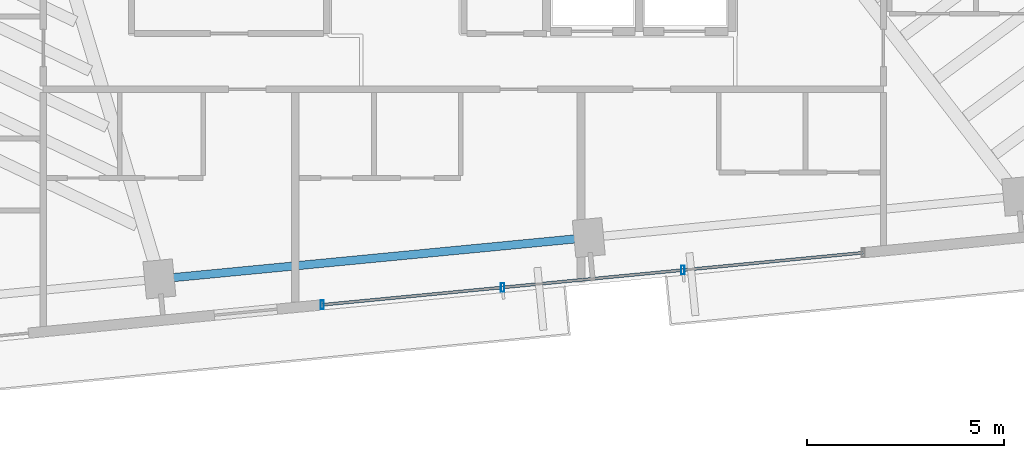
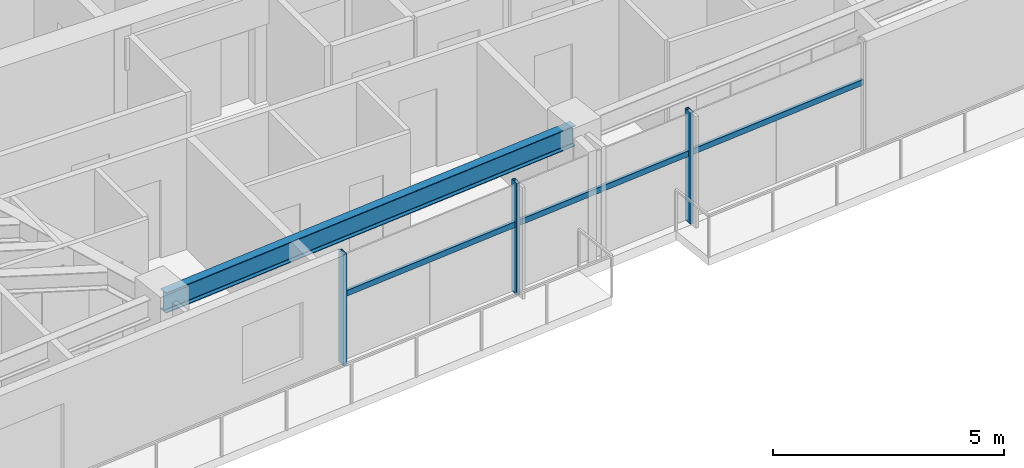
# One storey, part 4 of 18: 6 members, 1 beam, 1 element without a shape of its own.
"""IFC4 building model written with IfcOpenShell, lengths in metres."""

from ifc_helpers import new_model, si_unit, direction, frame, origin, origin_2d, place, context, subcontext, project, spatial, hollow_rectangle, i_section, extrude, source, transform, mapped, material, material_profile, profile_set, type_object, type_shapes, element, aggregate, save


model = new_model("IFC4")

# Units and contexts
model_context = context("Model", 3, precision=1e-05, world=origin(), true_north=direction((0.0, 1.0)))
body_context = subcontext(model_context, "Body", "Model", "MODEL_VIEW")
ifc_project = project(units=[si_unit("LENGTHUNIT", "METRE"), si_unit("AREAUNIT", "SQUARE_METRE"), si_unit("VOLUMEUNIT", "CUBIC_METRE"), si_unit("PLANEANGLEUNIT", "RADIAN"), si_unit("MASSUNIT", "GRAM", prefix="KILO")], contexts=[model_context])

# Site, building, storey
site_placement = place(None, origin())
site = spatial("IfcSite", under=ifc_project, at=site_placement, CompositionType="ELEMENT")
building_placement = place(site_placement, origin())
building = spatial("IfcBuilding", under=site, at=building_placement, Name="Astriad Promenade Condominiums", CompositionType="ELEMENT")
storey_placement = place(building_placement, frame((0.0, 0.0, 189.0)))
storey = spatial("IfcBuildingStorey", under=building, at=storey_placement, Name="L54", CompositionType="ELEMENT", Elevation=189.0)

# Beam
ifc_material_1 = material(Name="Steel ASTM A992 Grade 50", Category="steel")
ifc_material_profile_1 = material_profile(ifc_material_1, i_section(OverallWidth=0.210693359375, OverallDepth=0.53955078125, WebThickness=0.01171875, FlangeThickness=0.018798828125, FilletRadius=0.0166015625, at=origin_2d()), Name="W21X73")
ifc_profile_set_1 = profile_set([ifc_material_profile_1], Name="Steel ASTM A992 Grade 50")
beam_type = type_object("IfcBeamType", Name="STEEL SPANDREL BEAM W21X73", PredefinedType="SPANDREL", material=ifc_profile_set_1)
shared_shape_1 = source(origin(), body_context, "Body", "SweptSolid", [
    extrude(i_section(OverallWidth=0.210693359375, OverallDepth=0.53955078125, WebThickness=0.01171875, FlangeThickness=0.018798828125, FilletRadius=0.0166015625, at=origin_2d()), origin(), (0.0, 0.0, 1.0), 10.8701171875),
])
type_shapes(beam_type, [shared_shape_1])
beam_placement = place(storey_placement, frame((29.10888671875, 8.47119140625, 2.67041015625), z_axis=(0.995394986184, 0.09585834069, 0.0), x_axis=(-0.09585834069, 0.995394986184, 0.0)))
element("IfcBeam", 1, at=beam_placement, inside=storey, type_object=beam_type, Name="Perimeter Spandrel Beam SP-S2-L54", PredefinedType="SPANDREL", context=body_context, shape_type="MappedRepresentation", body=[
    mapped(shared_shape_1, transform((0.0, 0.0, 0.0), scale=1.0)),
])

# Curtain wall, members
ifc_material_2 = material(Name="Anodised aluminium Black Dark Glass Unitised", Category="aluminium")
curtain_wall_type = type_object("IfcCurtainWallType", Name="CW-B34-DARK", PredefinedType="USERDEFINED", material=ifc_material_2)
curtain_wall_placement = place(storey_placement, origin())
curtain_wall = element("IfcCurtainWall", 2, at=curtain_wall_placement, inside=storey, type_object=curtain_wall_type, Name="CW-L54-S", ObjectType="UNITISED_CURTAIN_WALL", PredefinedType="USERDEFINED")
ifc_material_3 = material(Name="Anodised aluminium 6063-T6 Black", Category="aluminium")
ifc_material_profile_2 = material_profile(ifc_material_3, hollow_rectangle(XDim=0.0849609375, YDim=0.219970703125, WallThickness=0.0048828125, at=origin_2d()), Name="ALU-MUL-85X220")
ifc_profile_set_2 = profile_set([ifc_material_profile_2], Name="Anodised aluminium 6063-T6 Black")
member_type_1 = type_object("IfcMemberType", Name="MUL-ALU-MUL-85X220", PredefinedType="MULLION", material=ifc_profile_set_2)
shared_shape_2 = source(origin(), body_context, "Body", "SweptSolid", [
    extrude(hollow_rectangle(XDim=0.0849609375, YDim=0.219970703125, WallThickness=0.0048828125, at=origin_2d()), origin(), (0.0, 0.0, 1.0), 2.93994140625),
])
type_shapes(member_type_1, [shared_shape_2])
member_1_placement = place(storey_placement, frame((42.358642578125, 8.692138671875, 0.0), z_axis=(0.0, 0.0, 1.0), x_axis=(1.0, 0.0, 0.0)))
member_1 = element("IfcMember", 3, at=member_1_placement, type_object=member_type_1, Name="CW-L54-S-MUL-01", PredefinedType="MULLION", context=body_context, shape_type="MappedRepresentation", body=[
    mapped(shared_shape_2, transform((0.0, 0.0, 0.0), scale=1.0)),
])
member_2_placement = place(storey_placement, frame((37.77978515625, 8.251220703125, 0.0), z_axis=(0.0, 0.0, 1.0), x_axis=(1.0, 0.0, 0.0)))
member_2 = element("IfcMember", 4, at=member_2_placement, type_object=member_type_1, Name="CW-L54-S-MUL-02", PredefinedType="MULLION", context=body_context, shape_type="MappedRepresentation", body=[
    mapped(shared_shape_2, transform((0.0, 0.0, 0.0), scale=1.0)),
])
member_3_placement = place(storey_placement, frame((33.201171875, 7.810302734375, 0.0), z_axis=(0.0, 0.0, 1.0), x_axis=(1.0, 0.0, 0.0)))
member_3 = element("IfcMember", 5, at=member_3_placement, type_object=member_type_1, Name="CW-L54-S-MUL-03", PredefinedType="MULLION", context=body_context, shape_type="MappedRepresentation", body=[
    mapped(shared_shape_2, transform((0.0, 0.0, 0.0), scale=1.0)),
])
ifc_material_profile_3 = material_profile(ifc_material_3, hollow_rectangle(XDim=0.074951171875, YDim=0.14990234375, WallThickness=0.004150390625, at=origin_2d()), Name="ALU-TRN-75X150")
ifc_profile_set_3 = profile_set([ifc_material_profile_3], Name="Anodised aluminium 6063-T6 Black")
member_type_2 = type_object("IfcMemberType", Name="TRN-ALU-TRN-75X150", PredefinedType="USERDEFINED", material=ifc_profile_set_3)
shared_shape_3 = source(origin(), body_context, "Body", "SweptSolid", [
    extrude(hollow_rectangle(XDim=0.074951171875, YDim=0.14990234375, WallThickness=0.004150390625, at=origin_2d()), origin(), (0.0, 0.0, 1.0), 4.60009765625),
])
member_4_placement = place(storey_placement, frame((46.9375, 9.133056640625, 1.82275390625), z_axis=(-0.995395697572, -0.095850953336, 0.0), x_axis=(0.095850953336, -0.995395697572, 0.0)))
member_4 = element("IfcMember", 6, at=member_4_placement, type_object=member_type_2, Name="CW-L54-S-TRN-00-0", ObjectType="TRANSOM", PredefinedType="USERDEFINED", context=body_context, shape_type="MappedRepresentation", body=[
    mapped(shared_shape_3, transform((0.0, 0.0, 0.0), scale=1.0)),
])
member_5_placement = place(storey_placement, frame((42.358642578125, 8.692138671875, 1.82275390625), z_axis=(-0.995395697572, -0.095850953336, 0.0), x_axis=(0.095850953336, -0.995395697572, 0.0)))
member_5 = element("IfcMember", 7, at=member_5_placement, type_object=member_type_2, Name="CW-L54-S-TRN-01-0", ObjectType="TRANSOM", PredefinedType="USERDEFINED", context=body_context, shape_type="MappedRepresentation", body=[
    mapped(shared_shape_3, transform((0.0, 0.0, 0.0), scale=1.0)),
])
shared_shape_4 = source(origin(), body_context, "Body", "SweptSolid", [
    extrude(hollow_rectangle(XDim=0.074951171875, YDim=0.14990234375, WallThickness=0.004150390625, at=origin_2d()), origin(), (0.0, 0.0, 1.0), 4.599853515625),
])
type_shapes(member_type_2, [shared_shape_3, shared_shape_4])
member_6_placement = place(storey_placement, frame((37.77978515625, 8.251220703125, 1.82275390625), z_axis=(-0.995395209924, -0.095856017336, 0.0), x_axis=(0.095856017336, -0.995395209924, 0.0)))
member_6 = element("IfcMember", 8, at=member_6_placement, type_object=member_type_2, Name="CW-L54-S-TRN-02-0", ObjectType="TRANSOM", PredefinedType="USERDEFINED", context=body_context, shape_type="MappedRepresentation", body=[
    mapped(shared_shape_4, transform((0.0, 0.0, 0.0), scale=1.0)),
])
aggregate(curtain_wall, [member_1, member_2, member_3, member_4, member_5, member_6])

save(model, "model.ifc")
